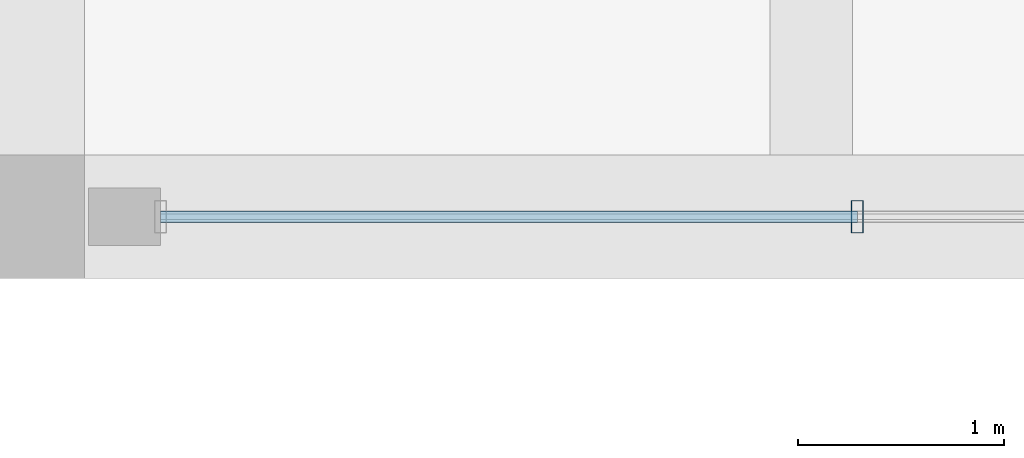
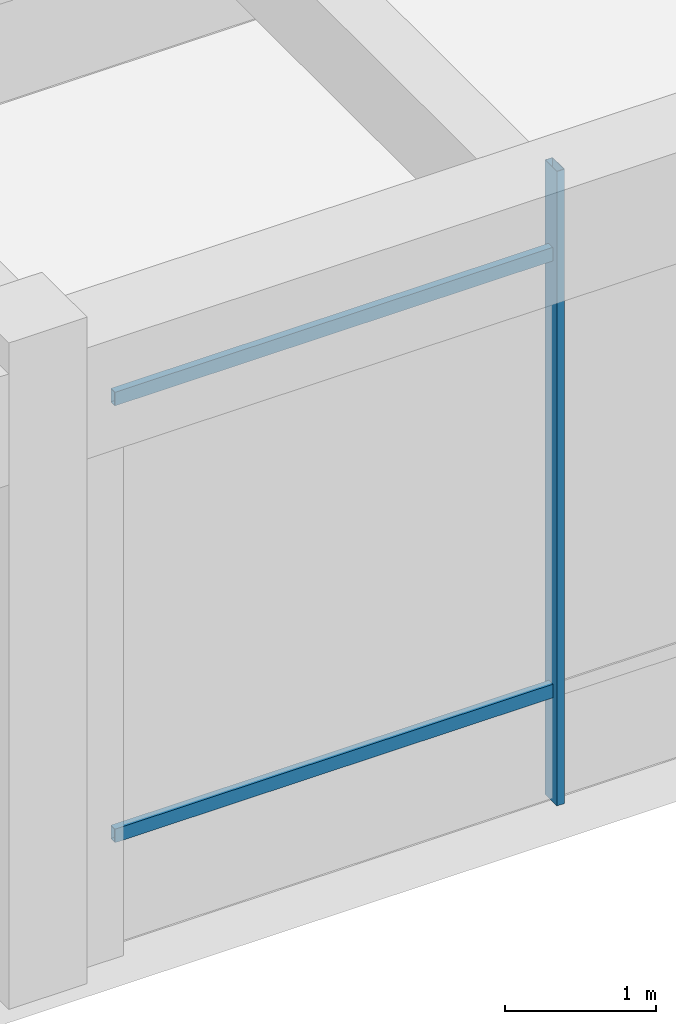
# One storey, part 85 of 148: 3 members, 1 element without a shape of its own.
"""IFC4 building model written with IfcOpenShell, lengths in metres."""

from ifc_helpers import new_model, si_unit, direction, frame, origin, origin_2d, place, context, subcontext, project, spatial, hollow_rectangle, extrude, material, material_profile, profile_set, type_object, element, aggregate, save


model = new_model("IFC4")

# Units and contexts
model_context = context("Model", 3, precision=1e-05, world=origin(), true_north=direction((0.0, 1.0)))
body_context = subcontext(model_context, "Body", "Model", "MODEL_VIEW")
ifc_project = project(units=[si_unit("LENGTHUNIT", "METRE"), si_unit("AREAUNIT", "SQUARE_METRE"), si_unit("VOLUMEUNIT", "CUBIC_METRE"), si_unit("PLANEANGLEUNIT", "RADIAN"), si_unit("MASSUNIT", "GRAM", prefix="KILO")], contexts=[model_context])

# Site, building, storey
site_placement = place(None, origin())
site = spatial("IfcSite", under=ifc_project, at=site_placement, CompositionType="ELEMENT")
building_placement = place(site_placement, origin())
building = spatial("IfcBuilding", under=site, at=building_placement, Name="Ologun Quay Terminus", CompositionType="ELEMENT")
storey_placement = place(building_placement, frame((0.0, 0.0, 8.39990234375)))
storey = spatial("IfcBuildingStorey", under=building, at=storey_placement, Name="L02", CompositionType="ELEMENT", Elevation=8.39990234375)

# Curtain wall, members
ifc_material_1 = material(Name="Aluminium 6063-T6", Category="aluminium")
curtain_wall_type = type_object("IfcCurtainWallType", Name="Concourse Departure Curtain Wall 10700x4950", PredefinedType="USERDEFINED", material=ifc_material_1)
curtain_wall_placement = place(storey_placement, origin())
curtain_wall = element("IfcCurtainWall", 1, at=curtain_wall_placement, inside=storey, type_object=curtain_wall_type, Name="CW-05 Curtain Wall CW-L02-031", ObjectType="UNITISED CURTAIN WALL", PredefinedType="USERDEFINED")
ifc_material_2 = material(Name="Aluminium 6063-T6", Category="aluminium")
ifc_material_profile_1 = material_profile(ifc_material_2, hollow_rectangle(XDim=0.06005859375, YDim=0.159912109375, WallThickness=0.00390625, at=origin_2d()), Name="ALU 160x60x4")
ifc_profile_set_1 = profile_set([ifc_material_profile_1], Name="Aluminium 6063-T6")
member_type_1 = type_object("IfcMemberType", Name="Curtain Wall Standard Mullion 160x65", PredefinedType="MULLION", material=ifc_profile_set_1)
member_1_placement = place(storey_placement, frame((142.056640625, 27.199951171875, 0.0), z_axis=(0.0, 0.0, 1.0), x_axis=(1.0, 0.0, 0.0)))
member_1 = element("IfcMember", 2, at=member_1_placement, type_object=member_type_1, Name="CW-L02-031 Mullion 2", PredefinedType="MULLION", context=body_context, shape_type="SweptSolid", body=[
    extrude(hollow_rectangle(XDim=0.06005859375, YDim=0.159912109375, WallThickness=0.00390625, at=origin_2d()), origin(), (0.0, 0.0, 1.0), 5.14013671875),
])
ifc_material_3 = material(Name="Aluminium 6063-T6", Category="aluminium")
ifc_material_profile_2 = material_profile(ifc_material_3, hollow_rectangle(XDim=0.054931640625, YDim=0.110107421875, WallThickness=0.00390625, at=origin_2d()), Name="ALU 110x55x4")
ifc_profile_set_2 = profile_set([ifc_material_profile_2], Name="Aluminium 6063-T6")
member_type_2 = type_object("IfcMemberType", Name="Curtain Wall Standard Transom 110x55", PredefinedType="USERDEFINED", material=ifc_profile_set_2)
member_2_placement = place(storey_placement, frame((138.669921875, 27.199951171875, 0.900146484375), z_axis=(1.0, 0.0, 0.0), x_axis=(0.0, 1.0, 0.0)))
member_2 = element("IfcMember", 3, at=member_2_placement, type_object=member_type_2, Name="CW-L02-031 Transom B1-1", ObjectType="TRANSOM", PredefinedType="USERDEFINED", context=body_context, shape_type="SweptSolid", body=[
    extrude(hollow_rectangle(XDim=0.054931640625, YDim=0.110107421875, WallThickness=0.00390625, at=origin_2d()), origin(), (0.0, 0.0, 1.0), 3.38671875),
])
member_3_placement = place(storey_placement, frame((138.669921875, 27.199951171875, 4.440185546875), z_axis=(1.0, 0.0, 0.0), x_axis=(0.0, 1.0, 0.0)))
member_3 = element("IfcMember", 4, at=member_3_placement, type_object=member_type_2, Name="CW-L02-031 Transom B1-2", ObjectType="TRANSOM", PredefinedType="USERDEFINED", context=body_context, shape_type="SweptSolid", body=[
    extrude(hollow_rectangle(XDim=0.054931640625, YDim=0.110107421875, WallThickness=0.00390625, at=origin_2d()), origin(), (0.0, 0.0, 1.0), 3.38671875),
])
aggregate(curtain_wall, [member_1, member_2, member_3])

save(model, "model.ifc")
